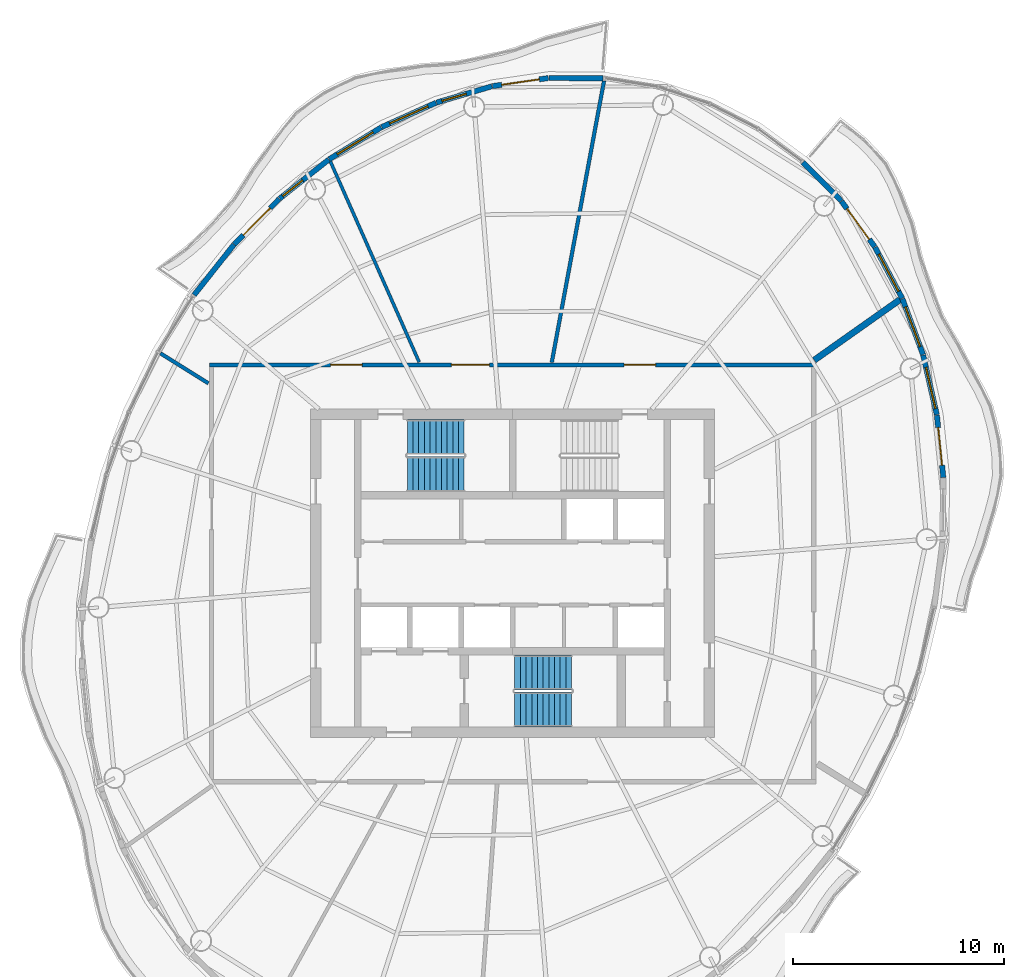
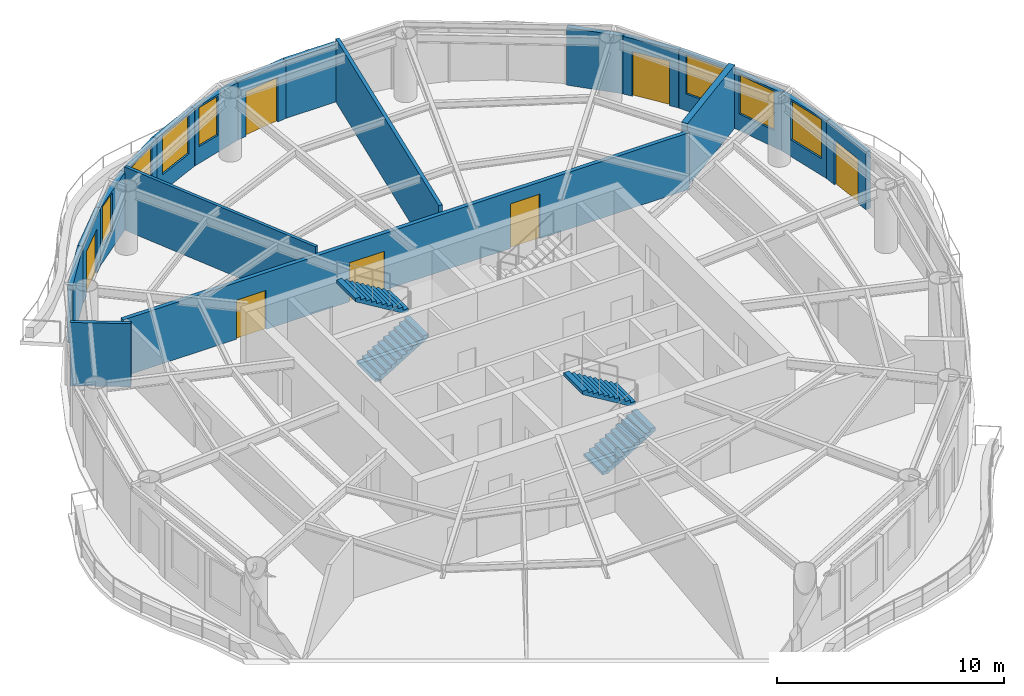
# One storey, part 9 of 13: 19 walls, 7 doors, 7 windows, 4 stair flights, 14 openings, 2 elements without a shape of their own.
"""IFC4 building model written with IfcOpenShell, lengths in metres."""

from ifc_helpers import new_model, si_unit, direction, frame, frame_2d, origin, place, context, subcontext, project, spatial, polyline, rectangle, outline, extrude, material, layer, layer_set, type_object, element, fill, aggregate, save


model = new_model("IFC4")

# Units and contexts
model_context = context("Model", 3, precision=1e-05, world=origin(), true_north=direction((0.0, 1.0)))
body_context = subcontext(model_context, "Body", "Model", "MODEL_VIEW")
ifc_project = project(units=[si_unit("LENGTHUNIT", "METRE"), si_unit("AREAUNIT", "SQUARE_METRE"), si_unit("VOLUMEUNIT", "CUBIC_METRE"), si_unit("PLANEANGLEUNIT", "RADIAN"), si_unit("MASSUNIT", "GRAM", prefix="KILO")], contexts=[model_context])

# Site, building, storey
site_placement = place(None, origin())
site = spatial("IfcSite", under=ifc_project, at=site_placement, CompositionType="ELEMENT")
building_placement = place(site_placement, origin())
building = spatial("IfcBuilding", under=site, at=building_placement, Name="Vermilion Reach Broadcast Tower", CompositionType="ELEMENT")
storey_placement = place(building_placement, frame((0.0, 0.0, 300.89990234375)))
storey = spatial("IfcBuildingStorey", under=building, at=storey_placement, Name="L75", CompositionType="ELEMENT", Elevation=300.89990234375)

# Walls
ifc_material_1 = material(Name="Lightweight concrete block, plastered", Category="concrete")
ifc_layer_1 = layer(ifc_material_1, 0.14990234375)
ifc_layer_set_1 = layer_set([ifc_layer_1], Name="Partition 150 lightweight block")
wall_type_1 = type_object("IfcWallType", Name="Partition 150 lightweight block", PredefinedType="PARTITIONING", material=ifc_layer_set_1)
wall_1_placement = place(storey_placement, frame((-14.652099609375, 19.557373046875, 0.0), z_axis=(0.0, 0.0, 1.0), x_axis=(0.4045614234, -0.914510828091, 0.0)))
element("IfcWall", 1, at=wall_1_placement, inside=storey, type_object=wall_type_1, Name="Partition 75.02", PredefinedType="PARTITIONING", context=body_context, shape_type="SweptSolid", body=[
    extrude(rectangle(XDim=10.417724609375, YDim=0.14990234375, at=frame_2d((5.208984375, 0.0))), origin(), (0.0, 0.0, 1.0), 3.400146484375),
])
ifc_material_2 = material(Name="Fire-rated block, plastered")
ifc_layer_2 = layer(ifc_material_2, 0.175048828125)
ifc_layer_set_2 = layer_set([ifc_layer_2], Name="Partition 175 fire-rated block")
wall_type_2 = type_object("IfcWallType", Name="Partition 175 fire-rated block", PredefinedType="PARTITIONING", material=ifc_layer_set_2)
wall_2_placement = place(storey_placement, frame((-1.657958984375, 23.38671875, 0.0), z_axis=(0.0, 0.0, 1.0), x_axis=(-0.1825398841, -0.983198449303, 0.0)))
element("IfcWall", 2, at=wall_2_placement, inside=storey, type_object=wall_type_2, Name="Partition 75.01", PredefinedType="PARTITIONING", context=body_context, shape_type="SweptSolid", body=[
    extrude(rectangle(XDim=13.599365234375, YDim=0.175048828125, at=frame_2d((6.7998046875, 0.0))), origin(), (0.0, 0.0, 1.0), 3.400146484375),
])
wall_3_placement = place(storey_placement, frame((-22.724365234375, 10.447021484375, 0.0), z_axis=(0.0, 0.0, 1.0), x_axis=(0.848115728247, -0.529811014891, 0.0)))
element("IfcWall", 3, at=wall_3_placement, inside=storey, type_object=wall_type_2, Name="Partition 75.03", PredefinedType="PARTITIONING", context=body_context, shape_type="SweptSolid", body=[
    extrude(rectangle(XDim=2.68603515625, YDim=0.175048828125, at=frame_2d((1.343017578125, 0.0))), origin(), (0.0, 0.0, 1.0), 3.400146484375),
])
ifc_material_3 = material(Name="Double-leaf plasterboard on isolated steel stud", Category="steel")
ifc_layer_3 = layer(ifc_material_3, 0.300048828125)
ifc_layer_set_3 = layer_set([ifc_layer_3], Name="Partition 300 acoustic double leaf")
wall_type_3 = type_object("IfcWallType", Name="Partition 300 acoustic double leaf", PredefinedType="PARTITIONING", material=ifc_layer_set_3)
wall_4_placement = place(storey_placement, frame((12.3955078125, 12.998046875, 0.0), z_axis=(0.0, 0.0, 1.0), x_axis=(-0.816698923904, -0.577064006583, 0.0)))
element("IfcWall", 4, at=wall_4_placement, inside=storey, type_object=wall_type_3, Name="Partition 75.08", PredefinedType="PARTITIONING", context=body_context, shape_type="SweptSolid", body=[
    extrude(rectangle(XDim=4.98291015625, YDim=0.300048828125, at=frame_2d((2.491455078125, 0.0))), origin(), (0.0, 0.0, 1.0), 3.400146484375),
])
ifc_material_4 = material(Name="Terracotta rainscreen cladding", Category="masonry")
ifc_layer_4 = layer(ifc_material_4, 0.25)
ifc_layer_set_4 = layer_set([ifc_layer_4], Name="Terracotta rainscreen wall 250")
wall_type_4 = type_object("IfcWallType", Name="Terracotta rainscreen wall 250", PredefinedType="SOLIDWALL", material=ifc_layer_set_4)
wall_5_placement = place(storey_placement, frame((-1.70263671875, 23.511474609375, 0.0), z_axis=(0.0, 0.0, 1.0), x_axis=(-0.999986408608, 0.005213693476, 0.0)))
element("IfcWall", 5, at=wall_5_placement, inside=storey, type_object=wall_type_4, Name="External wall L75 02", PredefinedType="SOLIDWALL", context=body_context, shape_type="SweptSolid", body=[
    extrude(rectangle(XDim=2.575439453125, YDim=0.25, at=frame_2d((1.28759765625, 0.0))), origin(), (0.0, 0.0, 1.0), 3.10009765625),
])

# Wall, opening, door
wall_6_placement = place(storey_placement, frame((-4.3046875, 23.52294921875, 0.0), z_axis=(0.0, 0.0, 1.0), x_axis=(-0.989681415389, -0.143285365734, 0.0)))
wall_6 = element("IfcWall", 6, at=wall_6_placement, inside=storey, type_object=wall_type_4, Name="External wall L75 03", PredefinedType="SOLIDWALL", context=body_context, shape_type="SweptSolid", body=[
    extrude(rectangle(XDim=2.6767578125, YDim=0.25, at=frame_2d((1.33837890625, 0.0))), origin(), (0.0, 0.0, 1.0), 3.10009765625),
])
opening_1_placement = place(wall_6_placement, frame((0.43798828125, 0.0, 0.0)))
opening_1 = element("IfcOpeningElement", 7, at=opening_1_placement, cuts=wall_6, Name="Opening D70", PredefinedType="OPENING", context=body_context, shape_type="SweptSolid", body=[
    extrude(rectangle(XDim=1.800048828125, YDim=2.39990234375, at=frame_2d((0.89990234375, 1.199951171875))), frame((0.0, 0.135009765625, 0.0), z_axis=(0.0, -1.0, 0.0), x_axis=(1.0, 0.0, 0.0)), (0.0, 0.0, 1.0), 0.27001953125),
])
ifc_material_5 = material(Name="Low-e laminated clear glass in aluminium frame", Category="aluminium")
door_type_1 = type_object("IfcDoorType", Name="Balcony sliding door 1800 x 2400", OperationType="DOUBLE_DOOR_SLIDING", PredefinedType="DOOR", material=ifc_material_5)
door_1_placement = place(opening_1_placement, origin())
door_1 = element("IfcDoor", 8, at=door_1_placement, inside=storey, type_object=door_type_1, Name="Balcony door L75 run 01", OperationType="DOUBLE_DOOR_SLIDING", OverallHeight=2.39990234375, OverallWidth=1.800048828125, PredefinedType="DOOR", context=body_context, shape_type="SweptSolid", body=[
    extrude(rectangle(XDim=1.800048828125, YDim=2.39990234375, at=frame_2d((0.89990234375, 1.199951171875))), frame((0.0, 0.02490234375, 0.0), z_axis=(0.0, -1.0, 0.0), x_axis=(1.0, 0.0, 0.0)), (0.0, 0.0, 1.0), 0.050048828125),
])
fill(opening_1, door_1)

# Wall, opening, window
wall_7_placement = place(storey_placement, frame((-6.97900390625, 23.1337890625, 0.0), z_axis=(0.0, 0.0, 1.0), x_axis=(-0.959345694886, -0.282233657992, 0.0)))
wall_7 = element("IfcWall", 9, at=wall_7_placement, inside=storey, type_object=wall_type_4, Name="External wall L75 04", PredefinedType="SOLIDWALL", context=body_context, shape_type="SweptSolid", body=[
    extrude(rectangle(XDim=2.748291015625, YDim=0.25, at=frame_2d((1.3740234375, 0.0))), origin(), (0.0, 0.0, 1.0), 3.10009765625),
])
opening_2_placement = place(wall_7_placement, frame((1.27392578125, 0.0, 0.89990234375)))
opening_2 = element("IfcOpeningElement", 10, at=opening_2_placement, cuts=wall_7, Name="Opening W05", PredefinedType="OPENING", context=body_context, shape_type="SweptSolid", body=[
    extrude(rectangle(XDim=1.199951171875, YDim=2.10009765625, at=frame_2d((0.60009765625, 1.050048828125))), frame((0.0, 0.135009765625, 0.0), z_axis=(0.0, -1.0, 0.0), x_axis=(1.0, 0.0, 0.0)), (0.0, 0.0, 1.0), 0.27001953125),
])
ifc_material_6 = material(Name="Low-e laminated clear glass in aluminium frame", Category="aluminium")
window_type_1 = type_object("IfcWindowType", Name="Punched window 1200 x 2100 sill 900", PartitioningType="SINGLE_PANEL", PredefinedType="WINDOW", material=ifc_material_6)
window_1_placement = place(opening_2_placement, origin())
window_1 = element("IfcWindow", 11, at=window_1_placement, inside=storey, type_object=window_type_1, Name="Window L75 04", OverallHeight=2.10009765625, OverallWidth=1.199951171875, PartitioningType="SINGLE_PANEL", PredefinedType="WINDOW", context=body_context, shape_type="SweptSolid", body=[
    extrude(rectangle(XDim=1.199951171875, YDim=2.10009765625, at=frame_2d((0.60009765625, 1.050048828125))), frame((0.0, 0.030029296875, 0.0), z_axis=(0.0, -1.0, 0.0), x_axis=(1.0, 0.0, 0.0)), (0.0, 0.0, 1.0), 0.06005859375),
])
fill(opening_2, window_1)

wall_8_placement = place(storey_placement, frame((-9.638671875, 22.349609375, 0.0), z_axis=(0.0, 0.0, 1.0), x_axis=(-0.912517109303, -0.409038537585, 0.0)))
wall_8 = element("IfcWall", 12, at=wall_8_placement, inside=storey, type_object=wall_type_4, Name="External wall L75 05", PredefinedType="SOLIDWALL", context=body_context, shape_type="SweptSolid", body=[
    extrude(rectangle(XDim=2.825439453125, YDim=0.25, at=frame_2d((1.41259765625, 0.0))), origin(), (0.0, 0.0, 1.0), 3.10009765625),
])
opening_3_placement = place(wall_8_placement, frame((0.412841796875, 0.0, 0.89990234375)))
opening_3 = element("IfcOpeningElement", 13, at=opening_3_placement, cuts=wall_8, Name="Opening W03", PredefinedType="OPENING", context=body_context, shape_type="SweptSolid", body=[
    extrude(rectangle(XDim=2.0, YDim=2.10009765625, at=frame_2d((1.0, 1.050048828125))), frame((0.0, 0.135009765625, 0.0), z_axis=(0.0, -1.0, 0.0), x_axis=(1.0, 0.0, 0.0)), (0.0, 0.0, 1.0), 0.27001953125),
])
ifc_material_7 = material(Name="Low-e laminated clear glass in aluminium frame", Category="aluminium")
window_type_2 = type_object("IfcWindowType", Name="Punched window 2000 x 2100 sill 900", PartitioningType="SINGLE_PANEL", PredefinedType="WINDOW", material=ifc_material_7)
window_2_placement = place(opening_3_placement, origin())
window_2 = element("IfcWindow", 14, at=window_2_placement, inside=storey, type_object=window_type_2, Name="Window L75 05", OverallHeight=2.10009765625, OverallWidth=2.0, PartitioningType="SINGLE_PANEL", PredefinedType="WINDOW", context=body_context, shape_type="SweptSolid", body=[
    extrude(rectangle(XDim=2.0, YDim=2.10009765625, at=frame_2d((1.0, 1.050048828125))), frame((0.0, 0.030029296875, 0.0), z_axis=(0.0, -1.0, 0.0), x_axis=(1.0, 0.0, 0.0)), (0.0, 0.0, 1.0), 0.06005859375),
])
fill(opening_3, window_2)

wall_9_placement = place(storey_placement, frame((-12.23828125, 21.1826171875, 0.0), z_axis=(0.0, 0.0, 1.0), x_axis=(-0.852693082588, -0.522412200189, 0.0)))
wall_9 = element("IfcWall", 15, at=wall_9_placement, inside=storey, type_object=wall_type_4, Name="External wall L75 06", PredefinedType="SOLIDWALL", context=body_context, shape_type="SweptSolid", body=[
    extrude(rectangle(XDim=2.903564453125, YDim=0.25, at=frame_2d((1.45166015625, 0.0))), origin(), (0.0, 0.0, 1.0), 3.10009765625),
])
opening_4_placement = place(wall_9_placement, frame((0.45166015625, 0.0, 0.89990234375)))
opening_4 = element("IfcOpeningElement", 16, at=opening_4_placement, cuts=wall_9, Name="Opening W03", PredefinedType="OPENING", context=body_context, shape_type="SweptSolid", body=[
    extrude(rectangle(XDim=2.0, YDim=2.10009765625, at=frame_2d((1.0, 1.050048828125))), frame((0.0, 0.135009765625, 0.0), z_axis=(0.0, -1.0, 0.0), x_axis=(1.0, 0.0, 0.0)), (0.0, 0.0, 1.0), 0.27001953125),
])
window_3_placement = place(opening_4_placement, origin())
window_3 = element("IfcWindow", 17, at=window_3_placement, inside=storey, type_object=window_type_2, Name="Window L75 06", OverallHeight=2.10009765625, OverallWidth=2.0, PartitioningType="SINGLE_PANEL", PredefinedType="WINDOW", context=body_context, shape_type="SweptSolid", body=[
    extrude(rectangle(XDim=2.0, YDim=2.10009765625, at=frame_2d((1.0, 1.050048828125))), frame((0.0, 0.030029296875, 0.0), z_axis=(0.0, -1.0, 0.0), x_axis=(1.0, 0.0, 0.0)), (0.0, 0.0, 1.0), 0.06005859375),
])
fill(opening_4, window_3)

wall_10_placement = place(storey_placement, frame((-14.733154296875, 19.65234375, 0.0), z_axis=(0.0, 0.0, 1.0), x_axis=(-0.782610135425, -0.622512149222, 0.0)))
wall_10 = element("IfcWall", 18, at=wall_10_placement, inside=storey, type_object=wall_type_4, Name="External wall L75 07", PredefinedType="SOLIDWALL", context=body_context, shape_type="SweptSolid", body=[
    extrude(rectangle(XDim=2.976806640625, YDim=0.25, at=frame_2d((1.48828125, 0.0))), origin(), (0.0, 0.0, 1.0), 3.10009765625),
])
opening_5_placement = place(wall_10_placement, frame((1.587890625, 0.0, 0.89990234375)))
opening_5 = element("IfcOpeningElement", 19, at=opening_5_placement, cuts=wall_10, Name="Opening W05", PredefinedType="OPENING", context=body_context, shape_type="SweptSolid", body=[
    extrude(rectangle(XDim=1.199951171875, YDim=2.10009765625, at=frame_2d((0.60009765625, 1.050048828125))), frame((0.0, 0.135009765625, 0.0), z_axis=(0.0, -1.0, 0.0), x_axis=(1.0, 0.0, 0.0)), (0.0, 0.0, 1.0), 0.27001953125),
])
window_4_placement = place(opening_5_placement, origin())
window_4 = element("IfcWindow", 20, at=window_4_placement, inside=storey, type_object=window_type_1, Name="Window L75 07", OverallHeight=2.10009765625, OverallWidth=1.199951171875, PartitioningType="SINGLE_PANEL", PredefinedType="WINDOW", context=body_context, shape_type="SweptSolid", body=[
    extrude(rectangle(XDim=1.199951171875, YDim=2.10009765625, at=frame_2d((0.60009765625, 1.050048828125))), frame((0.0, 0.030029296875, 0.0), z_axis=(0.0, -1.0, 0.0), x_axis=(1.0, 0.0, 0.0)), (0.0, 0.0, 1.0), 0.06005859375),
])
fill(opening_5, window_4)

# Wall, opening, door
wall_11_placement = place(storey_placement, frame((-17.07958984375, 17.784423828125, 0.0), z_axis=(0.0, 0.0, 1.0), x_axis=(-0.704653875191, -0.709551207581, 0.0)))
wall_11 = element("IfcWall", 21, at=wall_11_placement, inside=storey, type_object=wall_type_4, Name="External wall L75 08", PredefinedType="SOLIDWALL", context=body_context, shape_type="SweptSolid", body=[
    extrude(rectangle(XDim=3.041015625, YDim=0.25, at=frame_2d((1.5205078125, 0.0))), origin(), (0.0, 0.0, 1.0), 3.10009765625),
])
opening_6_placement = place(wall_11_placement, frame((0.6201171875, 0.0, 0.0)))
opening_6 = element("IfcOpeningElement", 22, at=opening_6_placement, cuts=wall_11, Name="Opening D70", PredefinedType="OPENING", context=body_context, shape_type="SweptSolid", body=[
    extrude(rectangle(XDim=1.800048828125, YDim=2.39990234375, at=frame_2d((0.89990234375, 1.199951171875))), frame((0.0, 0.135009765625, 0.0), z_axis=(0.0, -1.0, 0.0), x_axis=(1.0, 0.0, 0.0)), (0.0, 0.0, 1.0), 0.27001953125),
])
door_2_placement = place(opening_6_placement, origin())
door_2 = element("IfcDoor", 23, at=door_2_placement, inside=storey, type_object=door_type_1, Name="Balcony door L75 run 02", OperationType="DOUBLE_DOOR_SLIDING", OverallHeight=2.39990234375, OverallWidth=1.800048828125, PredefinedType="DOOR", context=body_context, shape_type="SweptSolid", body=[
    extrude(rectangle(XDim=1.800048828125, YDim=2.39990234375, at=frame_2d((0.89990234375, 1.199951171875))), frame((0.0, 0.02490234375, 0.0), z_axis=(0.0, -1.0, 0.0), x_axis=(1.0, 0.0, 0.0)), (0.0, 0.0, 1.0), 0.050048828125),
])
fill(opening_6, door_2)

# Wall
wall_12_placement = place(storey_placement, frame((-19.237060546875, 15.6103515625, 0.0), z_axis=(0.0, 0.0, 1.0), x_axis=(-0.620358215529, -0.784318611551, 0.0)))
element("IfcWall", 24, at=wall_12_placement, inside=storey, type_object=wall_type_4, Name="External wall L75 09", PredefinedType="SOLIDWALL", context=body_context, shape_type="SweptSolid", body=[
    extrude(rectangle(XDim=3.048095703125, YDim=0.25, at=frame_2d((1.52392578125, 0.0))), origin(), (0.0, 0.0, 1.0), 3.10009765625),
])

# Wall, opening, door
wall_13_placement = place(storey_placement, frame((14.457275390625, 4.549560546875, 0.0), z_axis=(0.0, 0.0, 1.0), x_axis=(-0.102767633089, 0.994705390349, 0.0)))
wall_13 = element("IfcWall", 25, at=wall_13_placement, inside=storey, type_object=wall_type_4, Name="External wall L75 40", PredefinedType="SOLIDWALL", context=body_context, shape_type="SweptSolid", body=[
    extrude(rectangle(XDim=2.976806640625, YDim=0.25, at=frame_2d((1.48828125, 0.0))), origin(), (0.0, 0.0, 1.0), 3.10009765625),
])
opening_7_placement = place(wall_13_placement, frame((0.587890625, 0.0, 0.0)))
opening_7 = element("IfcOpeningElement", 26, at=opening_7_placement, cuts=wall_13, Name="Opening D70", PredefinedType="OPENING", context=body_context, shape_type="SweptSolid", body=[
    extrude(rectangle(XDim=1.800048828125, YDim=2.39990234375, at=frame_2d((0.89990234375, 1.199951171875))), frame((0.0, 0.135009765625, 0.0), z_axis=(0.0, -1.0, 0.0), x_axis=(1.0, 0.0, 0.0)), (0.0, 0.0, 1.0), 0.27001953125),
])
door_3_placement = place(opening_7_placement, origin())
door_3 = element("IfcDoor", 27, at=door_3_placement, inside=storey, type_object=door_type_1, Name="Balcony door L75 run 10", OperationType="DOUBLE_DOOR_SLIDING", OverallHeight=2.39990234375, OverallWidth=1.800048828125, PredefinedType="DOOR", context=body_context, shape_type="SweptSolid", body=[
    extrude(rectangle(XDim=1.800048828125, YDim=2.39990234375, at=frame_2d((0.89990234375, 1.199951171875))), frame((0.0, 0.02490234375, 0.0), z_axis=(0.0, -1.0, 0.0), x_axis=(1.0, 0.0, 0.0)), (0.0, 0.0, 1.0), 0.050048828125),
])
fill(opening_7, door_3)

# Wall, opening, window
wall_14_placement = place(storey_placement, frame((14.1474609375, 7.533447265625, 0.0), z_axis=(0.0, 0.0, 1.0), x_axis=(-0.223256314802, 0.974759774458, 0.0)))
wall_14 = element("IfcWall", 28, at=wall_14_placement, inside=storey, type_object=wall_type_4, Name="External wall L75 41", PredefinedType="SOLIDWALL", context=body_context, shape_type="SweptSolid", body=[
    extrude(rectangle(XDim=2.9033203125, YDim=0.25, at=frame_2d((1.45166015625, 0.0))), origin(), (0.0, 0.0, 1.0), 3.10009765625),
])
opening_8_placement = place(wall_14_placement, frame((0.302001953125, 0.0, 0.89990234375)))
opening_8 = element("IfcOpeningElement", 29, at=opening_8_placement, cuts=wall_14, Name="Opening W03", PredefinedType="OPENING", context=body_context, shape_type="SweptSolid", body=[
    extrude(rectangle(XDim=2.0, YDim=2.10009765625, at=frame_2d((1.0, 1.050048828125))), frame((0.0, 0.135009765625, 0.0), z_axis=(0.0, -1.0, 0.0), x_axis=(1.0, 0.0, 0.0)), (0.0, 0.0, 1.0), 0.27001953125),
])
window_5_placement = place(opening_8_placement, origin())
window_5 = element("IfcWindow", 30, at=window_5_placement, inside=storey, type_object=window_type_2, Name="Window L75 41", OverallHeight=2.10009765625, OverallWidth=2.0, PartitioningType="SINGLE_PANEL", PredefinedType="WINDOW", context=body_context, shape_type="SweptSolid", body=[
    extrude(rectangle(XDim=2.0, YDim=2.10009765625, at=frame_2d((1.0, 1.050048828125))), frame((0.0, 0.030029296875, 0.0), z_axis=(0.0, -1.0, 0.0), x_axis=(1.0, 0.0, 0.0)), (0.0, 0.0, 1.0), 0.06005859375),
])
fill(opening_8, window_5)

wall_15_placement = place(storey_placement, frame((13.492431640625, 10.38671875, 0.0), z_axis=(0.0, 0.0, 1.0), x_axis=(-0.3462418827, 0.938145275885, 0.0)))
wall_15 = element("IfcWall", 31, at=wall_15_placement, inside=storey, type_object=wall_type_4, Name="External wall L75 42", PredefinedType="SOLIDWALL", context=body_context, shape_type="SweptSolid", body=[
    extrude(rectangle(XDim=2.825439453125, YDim=0.25, at=frame_2d((1.41259765625, 0.0))), origin(), (0.0, 0.0, 1.0), 3.10009765625),
])
opening_9_placement = place(wall_15_placement, frame((0.412841796875, 0.0, 0.89990234375)))
opening_9 = element("IfcOpeningElement", 32, at=opening_9_placement, cuts=wall_15, Name="Opening W03", PredefinedType="OPENING", context=body_context, shape_type="SweptSolid", body=[
    extrude(rectangle(XDim=2.0, YDim=2.10009765625, at=frame_2d((1.0, 1.050048828125))), frame((0.0, 0.135009765625, 0.0), z_axis=(0.0, -1.0, 0.0), x_axis=(1.0, 0.0, 0.0)), (0.0, 0.0, 1.0), 0.27001953125),
])
window_6_placement = place(opening_9_placement, origin())
window_6 = element("IfcWindow", 33, at=window_6_placement, inside=storey, type_object=window_type_2, Name="Window L75 42", OverallHeight=2.10009765625, OverallWidth=2.0, PartitioningType="SINGLE_PANEL", PredefinedType="WINDOW", context=body_context, shape_type="SweptSolid", body=[
    extrude(rectangle(XDim=2.0, YDim=2.10009765625, at=frame_2d((1.0, 1.050048828125))), frame((0.0, 0.030029296875, 0.0), z_axis=(0.0, -1.0, 0.0), x_axis=(1.0, 0.0, 0.0)), (0.0, 0.0, 1.0), 0.06005859375),
])
fill(opening_9, window_6)

wall_16_placement = place(storey_placement, frame((12.50390625, 13.06005859375, 0.0), z_axis=(0.0, 0.0, 1.0), x_axis=(-0.469564356189, 0.882898247476, 0.0)))
wall_16 = element("IfcWall", 34, at=wall_16_placement, inside=storey, type_object=wall_type_4, Name="External wall L75 43", PredefinedType="SOLIDWALL", context=body_context, shape_type="SweptSolid", body=[
    extrude(rectangle(XDim=2.748291015625, YDim=0.25, at=frame_2d((1.3740234375, 0.0))), origin(), (0.0, 0.0, 1.0), 3.10009765625),
])
opening_10_placement = place(wall_16_placement, frame((0.3740234375, 0.0, 0.89990234375)))
opening_10 = element("IfcOpeningElement", 35, at=opening_10_placement, cuts=wall_16, Name="Opening W03", PredefinedType="OPENING", context=body_context, shape_type="SweptSolid", body=[
    extrude(rectangle(XDim=2.0, YDim=2.10009765625, at=frame_2d((1.0, 1.050048828125))), frame((0.0, 0.135009765625, 0.0), z_axis=(0.0, -1.0, 0.0), x_axis=(1.0, 0.0, 0.0)), (0.0, 0.0, 1.0), 0.27001953125),
])
window_7_placement = place(opening_10_placement, origin())
window_7 = element("IfcWindow", 36, at=window_7_placement, inside=storey, type_object=window_type_2, Name="Window L75 43", OverallHeight=2.10009765625, OverallWidth=2.0, PartitioningType="SINGLE_PANEL", PredefinedType="WINDOW", context=body_context, shape_type="SweptSolid", body=[
    extrude(rectangle(XDim=2.0, YDim=2.10009765625, at=frame_2d((1.0, 1.050048828125))), frame((0.0, 0.030029296875, 0.0), z_axis=(0.0, -1.0, 0.0), x_axis=(1.0, 0.0, 0.0)), (0.0, 0.0, 1.0), 0.06005859375),
])
fill(opening_10, window_7)

# Wall, opening, door
wall_17_placement = place(storey_placement, frame((11.19970703125, 15.50830078125, 0.0), z_axis=(0.0, 0.0, 1.0), x_axis=(-0.59003031017, 0.80738109532, 0.0)))
wall_17 = element("IfcWall", 37, at=wall_17_placement, inside=storey, type_object=wall_type_4, Name="External wall L75 44", PredefinedType="SOLIDWALL", context=body_context, shape_type="SweptSolid", body=[
    extrude(rectangle(XDim=2.6767578125, YDim=0.25, at=frame_2d((1.33837890625, 0.0))), origin(), (0.0, 0.0, 1.0), 3.10009765625),
])
opening_11_placement = place(wall_17_placement, frame((0.43798828125, 0.0, 0.0)))
opening_11 = element("IfcOpeningElement", 38, at=opening_11_placement, cuts=wall_17, Name="Opening D70", PredefinedType="OPENING", context=body_context, shape_type="SweptSolid", body=[
    extrude(rectangle(XDim=1.800048828125, YDim=2.39990234375, at=frame_2d((0.89990234375, 1.199951171875))), frame((0.0, 0.135009765625, 0.0), z_axis=(0.0, -1.0, 0.0), x_axis=(1.0, 0.0, 0.0)), (0.0, 0.0, 1.0), 0.27001953125),
])
door_4_placement = place(opening_11_placement, origin())
door_4 = element("IfcDoor", 39, at=door_4_placement, inside=storey, type_object=door_type_1, Name="Balcony door L75 run 11", OperationType="DOUBLE_DOOR_SLIDING", OverallHeight=2.39990234375, OverallWidth=1.800048828125, PredefinedType="DOOR", context=body_context, shape_type="SweptSolid", body=[
    extrude(rectangle(XDim=1.800048828125, YDim=2.39990234375, at=frame_2d((0.89990234375, 1.199951171875))), frame((0.0, 0.02490234375, 0.0), z_axis=(0.0, -1.0, 0.0), x_axis=(1.0, 0.0, 0.0)), (0.0, 0.0, 1.0), 0.050048828125),
])
fill(opening_11, door_4)

# Wall
wall_18_placement = place(storey_placement, frame((9.603271484375, 17.689697265625, 0.0), z_axis=(0.0, 0.0, 1.0), x_axis=(-0.70340049818, 0.71079373883, 0.0)))
element("IfcWall", 40, at=wall_18_placement, inside=storey, type_object=wall_type_4, Name="External wall L75 45", PredefinedType="SOLIDWALL", context=body_context, shape_type="SweptSolid", body=[
    extrude(rectangle(XDim=2.57568359375, YDim=0.25, at=frame_2d((1.287841796875, 0.0))), origin(), (0.0, 0.0, 1.0), 3.10009765625),
])

# Wall, openings, doors
ifc_material_8 = material(Name="Fire-rated gypsum board partition")
ifc_layer_5 = layer(ifc_material_8, 0.199951171875)
ifc_layer_set_5 = layer_set([ifc_layer_5], Name="Under girder: Corridor wall 200 fire-rated")
wall_type_5 = type_object("IfcWallType", Name="Under girder: Corridor wall 200 fire-rated", PredefinedType="PARTITIONING", material=ifc_layer_set_5)
wall_19_placement = place(storey_placement, frame((-20.39990234375, 9.89990234375, 0.0), z_axis=(0.0, 0.0, 1.0), x_axis=(1.0, 0.0, 0.0)))
wall_19 = element("IfcWall", 41, at=wall_19_placement, inside=storey, type_object=wall_type_5, Name="Corridor wall 75.N", PredefinedType="PARTITIONING", context=body_context, shape_type="SweptSolid", body=[
    extrude(rectangle(XDim=28.7998046875, YDim=0.199951171875, at=frame_2d((14.39990234375, 0.0))), origin(), (0.0, 0.0, 1.0), 3.050048828125),
])
opening_12_placement = place(wall_19_placement, frame((11.4951171875, 0.0, 0.0)))
opening_12 = element("IfcOpeningElement", 42, at=opening_12_placement, cuts=wall_19, Name="Opening D21", PredefinedType="OPENING", context=body_context, shape_type="SweptSolid", body=[
    extrude(rectangle(XDim=1.800048828125, YDim=2.10009765625, at=frame_2d((0.89990234375, 1.050048828125))), frame((0.0, 0.10986328125, 0.0), z_axis=(0.0, -1.0, 0.0), x_axis=(1.0, 0.0, 0.0)), (0.0, 0.0, 1.0), 0.219970703125),
])
opening_13_placement = place(wall_19_placement, frame((5.758056640625, 0.0, 0.0)))
opening_13 = element("IfcOpeningElement", 43, at=opening_13_placement, cuts=wall_19, Name="Opening D24", PredefinedType="OPENING", context=body_context, shape_type="SweptSolid", body=[
    extrude(rectangle(XDim=1.5, YDim=2.10009765625, at=frame_2d((0.75, 1.050048828125))), frame((0.0, 0.10986328125, 0.0), z_axis=(0.0, -1.0, 0.0), x_axis=(1.0, 0.0, 0.0)), (0.0, 0.0, 1.0), 0.219970703125),
])
opening_14_placement = place(wall_19_placement, frame((19.6953125, 0.0, 0.0)))
opening_14 = element("IfcOpeningElement", 44, at=opening_14_placement, cuts=wall_19, Name="Opening D25", PredefinedType="OPENING", context=body_context, shape_type="SweptSolid", body=[
    extrude(rectangle(XDim=1.5, YDim=2.39990234375, at=frame_2d((0.75, 1.199951171875))), frame((0.0, 0.10986328125, 0.0), z_axis=(0.0, -1.0, 0.0), x_axis=(1.0, 0.0, 0.0)), (0.0, 0.0, 1.0), 0.219970703125),
])
ifc_material_9 = material(Name="Timber door leaf", Category="wood")
door_type_2 = type_object("IfcDoorType", Name="Door pair 1500x2100", OperationType="NOTDEFINED", PredefinedType="DOOR", material=ifc_material_9)
door_5_placement = place(opening_13_placement, origin())
door_5 = element("IfcDoor", 45, at=door_5_placement, inside=storey, type_object=door_type_2, Name="Door 75.02", OperationType="DOUBLE_DOOR_SINGLE_SWING", OverallHeight=2.10009765625, OverallWidth=1.5, PredefinedType="DOOR", context=body_context, shape_type="SweptSolid", body=[
    extrude(rectangle(XDim=1.5, YDim=2.10009765625, at=frame_2d((0.75, 1.050048828125))), frame((0.0, 0.02490234375, 0.0), z_axis=(0.0, -1.0, 0.0), x_axis=(1.0, 0.0, 0.0)), (0.0, 0.0, 1.0), 0.050048828125),
])
fill(opening_13, door_5)
ifc_material_10 = material(Name="Glazed timber door leaf", Category="wood")
door_type_3 = type_object("IfcDoorType", Name="Door pair 1500x2400", OperationType="NOTDEFINED", PredefinedType="DOOR", material=ifc_material_10)
door_6_placement = place(opening_14_placement, origin())
door_6 = element("IfcDoor", 46, at=door_6_placement, inside=storey, type_object=door_type_3, Name="Door 75.08", OperationType="DOUBLE_DOOR_SINGLE_SWING", OverallHeight=2.39990234375, OverallWidth=1.5, PredefinedType="DOOR", context=body_context, shape_type="SweptSolid", body=[
    extrude(rectangle(XDim=1.5, YDim=2.39990234375, at=frame_2d((0.75, 1.199951171875))), frame((0.0, 0.02490234375, 0.0), z_axis=(0.0, -1.0, 0.0), x_axis=(1.0, 0.0, 0.0)), (0.0, 0.0, 1.0), 0.050048828125),
])
fill(opening_14, door_6)
ifc_material_11 = material(Name="Timber door leaf", Category="wood")
door_type_4 = type_object("IfcDoorType", Name="Door pair 1800x2100", OperationType="NOTDEFINED", PredefinedType="DOOR", material=ifc_material_11)
door_7_placement = place(opening_12_placement, origin())
door_7 = element("IfcDoor", 47, at=door_7_placement, inside=storey, type_object=door_type_4, Name="Door 75.01", OperationType="DOUBLE_DOOR_SINGLE_SWING", OverallHeight=2.10009765625, OverallWidth=1.800048828125, PredefinedType="DOOR", context=body_context, shape_type="SweptSolid", body=[
    extrude(rectangle(XDim=1.800048828125, YDim=2.10009765625, at=frame_2d((0.89990234375, 1.050048828125))), frame((0.0, 0.02490234375, 0.0), z_axis=(0.0, -1.0, 0.0), x_axis=(1.0, 0.0, 0.0)), (0.0, 0.0, 1.0), 0.050048828125),
])
fill(opening_12, door_7)

# Stair, stair flights
ifc_material_12 = material(Name="Concrete C40", Category="concrete")
stair_type = type_object("IfcStairType", Name="Exit stair RC 22 risers 164 mm", PredefinedType="HALF_TURN_STAIR", material=ifc_material_12)
placement = place(storey_placement, origin())
stair_1 = element("IfcStair", 48, at=placement, inside=storey, type_object=stair_type, Name="L75 Exit stair ST1", PredefinedType="HALF_TURN_STAIR")
ifc_material_13 = material(Name="Concrete C40", Category="concrete")
stair_flight_type = type_object("IfcStairFlightType", Name="Exit stair flight RC 11 risers", PredefinedType="STRAIGHT", material=ifc_material_13)
stair_flight_1_placement = place(storey_placement, frame((-11.0, 4.7099609375, 0.0), z_axis=(0.0, 0.0, 1.0), x_axis=(1.0, 0.0, 0.0)))
stair_flight_1 = element("IfcStairFlight", 49, at=stair_flight_1_placement, type_object=stair_flight_type, Name="ST1 flight 1", NumberOfRisers=11, NumberOfTreads=10, PredefinedType="STRAIGHT", RiserHeight=0.163636364, TreadLength=0.27, context=body_context, shape_type="SweptSolid", body=[
    extrude(outline(polyline([(0.0, 0.0), (0.0, 0.16357421875), (0.27001953125, 0.16357421875), (0.27001953125, 0.327392578125), (0.5400390625, 0.327392578125), (0.5400390625, 0.490966796875), (0.81005859375, 0.490966796875), (0.81005859375, 0.654541015625), (1.080078125, 0.654541015625), (1.080078125, 0.818115234375), (1.35009765625, 0.818115234375), (1.35009765625, 0.98193359375), (1.6201171875, 0.98193359375), (1.6201171875, 1.1455078125), (1.889892578125, 1.1455078125), (1.889892578125, 1.30908203125), (2.159912109375, 1.30908203125), (2.159912109375, 1.47265625), (2.429931640625, 1.47265625), (2.429931640625, 1.636474609375), (2.699951171875, 1.636474609375), (2.699951171875, 1.800048828125), (2.699951171875, 1.461181640625), (0.289306640625, 0.0), (0.0, 0.0)])), frame((0.0, 0.830078125, 0.0), z_axis=(0.0, -1.0, 0.0), x_axis=(1.0, 0.0, 0.0)), (0.0, 0.0, 1.0), 1.659912109375),
])
stair_flight_2_placement = place(storey_placement, frame((-8.300048828125, 6.469970703125, 1.800048828125), z_axis=(0.0, 0.0, 1.0), x_axis=(-1.0, 0.0, 0.0)))
stair_flight_2 = element("IfcStairFlight", 50, at=stair_flight_2_placement, type_object=stair_flight_type, Name="ST1 flight 2", NumberOfRisers=11, NumberOfTreads=10, PredefinedType="STRAIGHT", RiserHeight=0.163636364, TreadLength=0.27, context=body_context, shape_type="SweptSolid", body=[
    extrude(outline(polyline([(0.0, 0.0), (0.0, 0.16357421875), (0.27001953125, 0.16357421875), (0.27001953125, 0.327392578125), (0.5400390625, 0.327392578125), (0.5400390625, 0.490966796875), (0.81005859375, 0.490966796875), (0.81005859375, 0.654541015625), (1.080078125, 0.654541015625), (1.080078125, 0.818115234375), (1.35009765625, 0.818115234375), (1.35009765625, 0.98193359375), (1.6201171875, 0.98193359375), (1.6201171875, 1.1455078125), (1.889892578125, 1.1455078125), (1.889892578125, 1.30908203125), (2.159912109375, 1.30908203125), (2.159912109375, 1.47265625), (2.429931640625, 1.47265625), (2.429931640625, 1.636474609375), (2.699951171875, 1.636474609375), (2.699951171875, 1.800048828125), (2.699951171875, 1.461181640625), (0.289306640625, 0.0), (0.0, 0.0)])), frame((0.0, 0.830078125, 0.0), z_axis=(0.0, -1.0, 0.0), x_axis=(1.0, 0.0, 0.0)), (0.0, 0.0, 1.0), 1.659912109375),
])
aggregate(stair_1, [stair_flight_1, stair_flight_2])

stair_2 = element("IfcStair", 51, at=placement, inside=storey, type_object=stair_type, Name="L75 Exit stair ST3", PredefinedType="HALF_TURN_STAIR")
stair_flight_3_placement = place(storey_placement, frame((-5.89990234375, -6.469970703125, 0.0), z_axis=(0.0, 0.0, 1.0), x_axis=(1.0, 0.0, 0.0)))
stair_flight_3 = element("IfcStairFlight", 52, at=stair_flight_3_placement, type_object=stair_flight_type, Name="ST3 flight 1", NumberOfRisers=11, NumberOfTreads=10, PredefinedType="STRAIGHT", RiserHeight=0.163636364, TreadLength=0.27, context=body_context, shape_type="SweptSolid", body=[
    extrude(outline(polyline([(0.0, 0.0), (0.0, 0.16357421875), (0.27001953125, 0.16357421875), (0.27001953125, 0.327392578125), (0.5400390625, 0.327392578125), (0.5400390625, 0.490966796875), (0.81005859375, 0.490966796875), (0.81005859375, 0.654541015625), (1.080078125, 0.654541015625), (1.080078125, 0.818115234375), (1.35009765625, 0.818115234375), (1.35009765625, 0.98193359375), (1.6201171875, 0.98193359375), (1.6201171875, 1.1455078125), (1.889892578125, 1.1455078125), (1.889892578125, 1.30908203125), (2.159912109375, 1.30908203125), (2.159912109375, 1.47265625), (2.429931640625, 1.47265625), (2.429931640625, 1.636474609375), (2.699951171875, 1.636474609375), (2.699951171875, 1.800048828125), (2.699951171875, 1.461181640625), (0.289306640625, 0.0), (0.0, 0.0)])), frame((0.0, 0.830078125, 0.0), z_axis=(0.0, -1.0, 0.0), x_axis=(1.0, 0.0, 0.0)), (0.0, 0.0, 1.0), 1.659912109375),
])
stair_flight_4_placement = place(storey_placement, frame((-3.199951171875, -4.7099609375, 1.800048828125), z_axis=(0.0, 0.0, 1.0), x_axis=(-1.0, 0.0, 0.0)))
stair_flight_4 = element("IfcStairFlight", 53, at=stair_flight_4_placement, type_object=stair_flight_type, Name="ST3 flight 2", NumberOfRisers=11, NumberOfTreads=10, PredefinedType="STRAIGHT", RiserHeight=0.163636364, TreadLength=0.27, context=body_context, shape_type="SweptSolid", body=[
    extrude(outline(polyline([(0.0, 0.0), (0.0, 0.16357421875), (0.27001953125, 0.16357421875), (0.27001953125, 0.327392578125), (0.5400390625, 0.327392578125), (0.5400390625, 0.490966796875), (0.81005859375, 0.490966796875), (0.81005859375, 0.654541015625), (1.080078125, 0.654541015625), (1.080078125, 0.818115234375), (1.35009765625, 0.818115234375), (1.35009765625, 0.98193359375), (1.6201171875, 0.98193359375), (1.6201171875, 1.1455078125), (1.889892578125, 1.1455078125), (1.889892578125, 1.30908203125), (2.159912109375, 1.30908203125), (2.159912109375, 1.47265625), (2.429931640625, 1.47265625), (2.429931640625, 1.636474609375), (2.699951171875, 1.636474609375), (2.699951171875, 1.800048828125), (2.699951171875, 1.461181640625), (0.289306640625, 0.0), (0.0, 0.0)])), frame((0.0, 0.830078125, 0.0), z_axis=(0.0, -1.0, 0.0), x_axis=(1.0, 0.0, 0.0)), (0.0, 0.0, 1.0), 1.659912109375),
])
aggregate(stair_2, [stair_flight_3, stair_flight_4])

save(model, "model.ifc")
